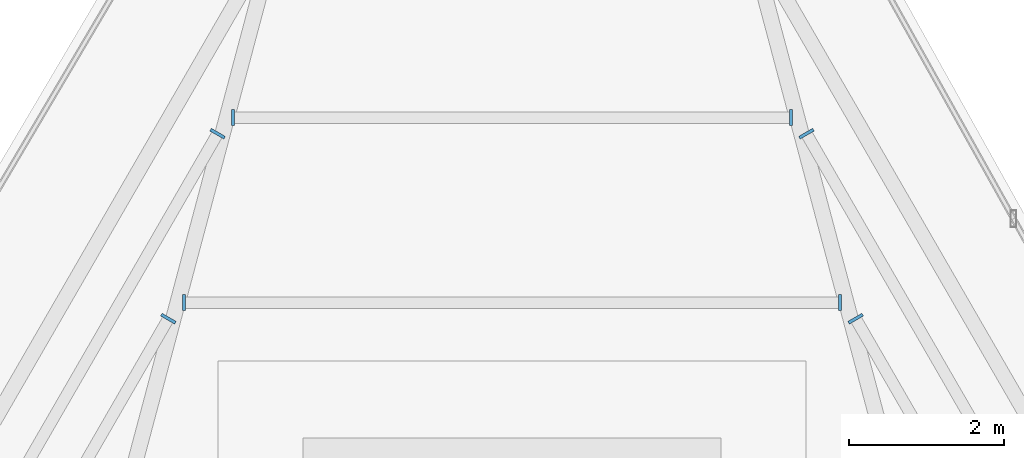
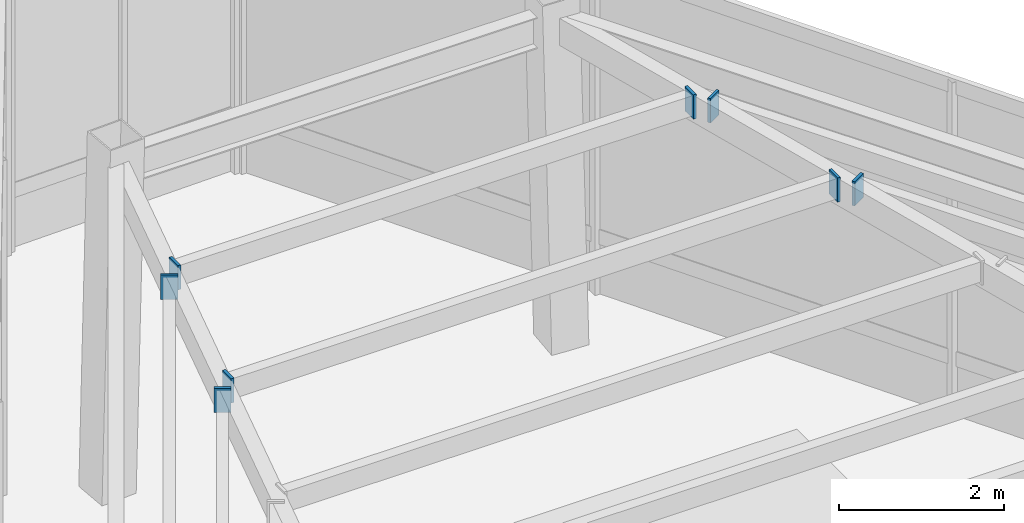
# One storey, part 22 of 25: 8 plates.
"""IFC4 building model written with IfcOpenShell, lengths in metres."""

from ifc_helpers import new_model, si_unit, direction, frame, origin, origin_2d, place, context, subcontext, project, spatial, rectangle, extrude, source, transform, mapped, material, layer, layer_set, type_object, type_shapes, element, save


model = new_model("IFC4")

# Units and contexts
model_context = context("Model", 3, precision=1e-05, world=origin(), true_north=direction((0.0, 1.0)))
body_context = subcontext(model_context, "Body", "Model", "MODEL_VIEW")
ifc_project = project(units=[si_unit("LENGTHUNIT", "METRE"), si_unit("AREAUNIT", "SQUARE_METRE"), si_unit("VOLUMEUNIT", "CUBIC_METRE"), si_unit("PLANEANGLEUNIT", "RADIAN"), si_unit("MASSUNIT", "GRAM", prefix="KILO")], contexts=[model_context])

# Site, building, storey
site_placement = place(None, origin())
site = spatial("IfcSite", under=ifc_project, at=site_placement, CompositionType="ELEMENT")
building_placement = place(site_placement, origin())
building = spatial("IfcBuilding", under=site, at=building_placement, Name="Caelisora Broadcast Tower", CompositionType="ELEMENT")
storey_placement = place(building_placement, frame((0.0, 0.0, 284.60009765625)))
storey = spatial("IfcBuildingStorey", under=building, at=storey_placement, Name="L75", CompositionType="ELEMENT", Elevation=284.60009765625)

# Plates
ifc_material = material(Name="Steel Grade 350 L15 (AS/NZS 3678)", Category="steel")
ifc_layer = layer(ifc_material, 0.0400390625, Name="Steel Grade 350 L15 (AS/NZS 3678)")
ifc_layer_set = layer_set([ifc_layer], Name="Steel Grade 350 L15 (AS/NZS 3678)")
plate_type = type_object("IfcPlateType", Name="GP04", PredefinedType="USERDEFINED", material=ifc_layer_set)
shared_shape = source(origin(), body_context, "Body", "SweptSolid", [
    extrude(rectangle(XDim=0.2099609375, YDim=0.0400390625, at=origin_2d()), origin(), (0.0, 0.0, 1.0), 0.360107421875),
])
type_shapes(plate_type, [shared_shape])
for number, where, z_axis, x_axis, name in (
    (1, (42.239501953125, 41.952392578125, 4.61962890625), (0.0, 0.0, 1.0), (0.0, -1.0, 0.0), "L75 gusset plate GP04 (ND-SB-L75-005A)"),
    (2, (33.760498046875, 41.952392578125, 4.61962890625), (0.0, 0.0, 1.0), (0.0, -1.0, 0.0), "L75 gusset plate GP04 (ND-SB-L75-005B)"),
    (3, (41.603759765625, 44.343017578125, 4.61962890625), (0.0, 0.0, 1.0), (0.0, -1.0, 0.0), "L75 gusset plate GP04 (ND-SB-L75-006A)"),
    (4, (34.396240234375, 44.343017578125, 4.61962890625), (0.0, 0.0, 1.0), (0.0, -1.0, 0.0), "L75 gusset plate GP04 (ND-SB-L75-006B)"),
    (5, (33.559814453125, 41.744384765625, 4.61962890625), (0.0, 0.0, 1.0), (0.866025403784, -0.5, 0.0), "L75 gusset plate GP04 (ND-SB-L75-010A)"),
    (6, (34.19580078125, 44.135009765625, 4.61962890625), (0.0, 0.0, 1.0), (0.866025403784, -0.5, 0.0), "L75 gusset plate GP04 (ND-SB-L75-011A)"),
    (7, (42.440185546875, 41.744384765625, 4.61962890625), (0.0, 0.0, 1.0), (-0.866025403784, -0.5, 0.0), "L75 gusset plate GP04 (ND-SB-L75-059B)"),
    (8, (41.80419921875, 44.135009765625, 4.61962890625), (0.0, 0.0, 1.0), (-0.866025403784, -0.5, 0.0), "L75 gusset plate GP04 (ND-SB-L75-060B)"),
):
    element("IfcPlate", number, at=place(storey_placement, frame(where, z_axis=z_axis, x_axis=x_axis)), inside=storey, type_object=plate_type, Name=name, ObjectType="GUSSET PLATE", PredefinedType="USERDEFINED", context=body_context, shape_type="MappedRepresentation", body=[
        mapped(shared_shape, transform((0.0, 0.0, 0.0), scale=1.0)),
    ])

save(model, "model.ifc")
